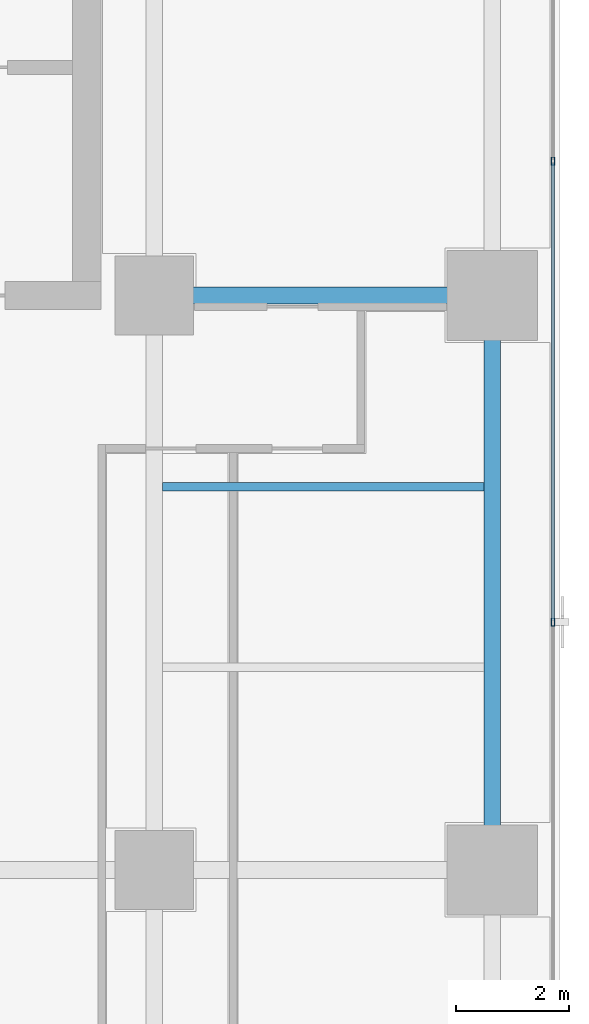
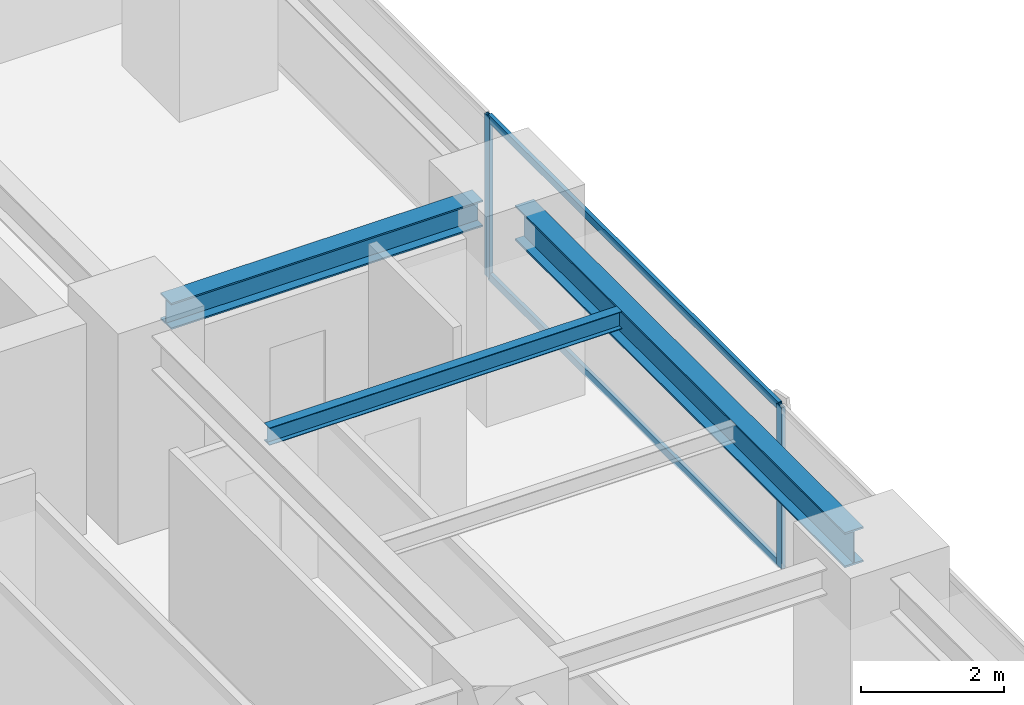
# One storey, part 17 of 30: 4 members, 3 beams, 1 element without a shape of its own.
"""IFC4 building model written with IfcOpenShell, lengths in metres."""

from ifc_helpers import new_model, si_unit, direction, frame, origin, origin_2d, place, context, subcontext, project, spatial, hollow_rectangle, i_section, extrude, source, transform, mapped, material, layer, layer_set, material_profile, profile_set, type_object, element, aggregate, save


model = new_model("IFC4")

# Units and contexts
model_context = context("Model", 3, precision=1e-05, world=origin(), true_north=direction((0.0, 1.0)))
body_context = subcontext(model_context, "Body", "Model", "MODEL_VIEW")
ifc_project = project(units=[si_unit("LENGTHUNIT", "METRE"), si_unit("AREAUNIT", "SQUARE_METRE"), si_unit("VOLUMEUNIT", "CUBIC_METRE"), si_unit("PLANEANGLEUNIT", "RADIAN"), si_unit("MASSUNIT", "GRAM", prefix="KILO")], contexts=[model_context])

# Site, building, storey
site_placement = place(None, origin())
site = spatial("IfcSite", under=ifc_project, at=site_placement, CompositionType="ELEMENT")
building_placement = place(site_placement, origin())
building = spatial("IfcBuilding", under=site, at=building_placement, Name="Sumidabori Civic Tower", CompositionType="ELEMENT")
storey_placement = place(building_placement, frame((0.0, 0.0, 196.39990234375)))
storey = spatial("IfcBuildingStorey", under=building, at=storey_placement, Name="L50", CompositionType="ELEMENT", Elevation=196.39990234375)

# Beams
ifc_material_1 = material(Name="Steel SN490", Category="steel")
ifc_material_profile_1 = material_profile(ifc_material_1, i_section(OverallWidth=0.300048828125, OverallDepth=0.60009765625, WebThickness=0.015380859375, FlangeThickness=0.030029296875, at=origin_2d()), Name="HE 600 B")
ifc_profile_set_1 = profile_set([ifc_material_profile_1], Name="Steel SN490")
beam_type_1 = type_object("IfcBeamType", Name="BM-GIRD-600", PredefinedType="BEAM", material=ifc_profile_set_1)
shared_shape_1 = source(origin(), body_context, "Body", "SweptSolid", [
    extrude(i_section(OverallWidth=0.300048828125, OverallDepth=0.60009765625, WebThickness=0.015380859375, FlangeThickness=0.030029296875, at=origin_2d()), origin(), (0.0, 0.0, 1.0), 9.239990234375),
])
beam_1_placement = place(storey_placement, frame((22.800048828125, 0.47998046875, 3.080078125), z_axis=(0.0, 1.0, 0.0), x_axis=(-1.0, 0.0, 0.0)))
element("IfcBeam", 1, at=beam_1_placement, inside=storey, type_object=beam_type_1, Name="Primary Girder L50 GY-23", PredefinedType="BEAM", context=body_context, shape_type="MappedRepresentation", body=[
    mapped(shared_shape_1, transform((0.0, 0.0, 0.0), x_axis=(1.0, 0.0, 0.0), y_axis=(0.0, 1.0, 0.0), z_axis=(0.0, 0.0, 1.0), scale=1.0)),
])
ifc_material_profile_2 = material_profile(ifc_material_1, i_section(OverallWidth=0.14990234375, OverallDepth=0.300048828125, WebThickness=0.007080078125, FlangeThickness=0.0107421875, at=origin_2d()), Name="IPE 300")
ifc_profile_set_2 = profile_set([ifc_material_profile_2], Name="Steel SN490")
beam_type_2 = type_object("IfcBeamType", Name="BM-JST-300", PredefinedType="JOIST", material=ifc_profile_set_2)
shared_shape_2 = source(origin(), body_context, "Body", "SweptSolid", [
    extrude(i_section(OverallWidth=0.14990234375, OverallDepth=0.300048828125, WebThickness=0.007080078125, FlangeThickness=0.0107421875, at=origin_2d()), origin(), (0.0, 0.0, 1.0), 5.699951171875),
])
beam_2_placement = place(storey_placement, frame((16.949951171875, 6.800048828125, 3.22998046875), z_axis=(1.0, 0.0, 0.0), x_axis=(0.0, 1.0, 0.0)))
element("IfcBeam", 2, at=beam_2_placement, inside=storey, type_object=beam_type_2, Name="Outer Bay Floor Joist L50 JSTO-32", PredefinedType="JOIST", context=body_context, shape_type="MappedRepresentation", body=[
    mapped(shared_shape_2, transform((0.0, 0.0, 0.0), x_axis=(1.0, 0.0, 0.0), y_axis=(0.0, 1.0, 0.0), z_axis=(0.0, 0.0, 1.0), scale=1.0)),
])
ifc_material_profile_3 = material_profile(ifc_material_1, i_section(OverallWidth=0.300048828125, OverallDepth=0.449951171875, WebThickness=0.013916015625, FlangeThickness=0.02587890625, at=origin_2d()), Name="HE 450 B")
ifc_profile_set_3 = profile_set([ifc_material_profile_3], Name="Steel SN490")
beam_type_3 = type_object("IfcBeamType", Name="BM-GIRD-450", PredefinedType="BEAM", material=ifc_profile_set_3)
shared_shape_3 = source(origin(), body_context, "Body", "SweptSolid", [
    extrude(i_section(OverallWidth=0.300048828125, OverallDepth=0.449951171875, WebThickness=0.013916015625, FlangeThickness=0.02587890625, at=origin_2d()), origin(), (0.0, 0.0, 1.0), 5.0400390625),
])
beam_3_placement = place(storey_placement, frame((17.280029296875, 10.199951171875, 3.155029296875), z_axis=(1.0, 0.0, 0.0), x_axis=(0.0, 1.0, 0.0)))
element("IfcBeam", 3, at=beam_3_placement, inside=storey, type_object=beam_type_3, Name="Primary Girder L50 GX-10", PredefinedType="BEAM", context=body_context, shape_type="MappedRepresentation", body=[
    mapped(shared_shape_3, transform((0.0, 0.0, 0.0), x_axis=(1.0, 0.0, 0.0), y_axis=(0.0, 1.0, 0.0), z_axis=(0.0, 0.0, 1.0), scale=1.0)),
])

# Curtain wall, members
ifc_material_2 = material(Name="Anodised Bronze Aluminium AW-6063-T6", Category="aluminium")
ifc_layer = layer(ifc_material_2, 0.179931640625, Name="Anodised Bronze Aluminium AW-6063-T6")
ifc_layer_set = layer_set([ifc_layer], Name="Anodised Bronze Aluminium AW-6063-T6")
curtain_wall_type = type_object("IfcCurtainWallType", Name="CW-SYS-5", PredefinedType="NOTDEFINED", material=ifc_layer_set)
curtain_wall_placement = place(storey_placement, origin())
curtain_wall = element("IfcCurtainWall", 4, at=curtain_wall_placement, inside=storey, type_object=curtain_wall_type, Name="Curtain Wall CW:L50:R10", PredefinedType="NOTDEFINED")
ifc_material_profile_4 = material_profile(ifc_material_2, hollow_rectangle(XDim=0.06005859375, YDim=0.139892578125, WallThickness=0.0048828125, at=origin_2d()), Name="ALU MULLION 140x60")
ifc_profile_set_4 = profile_set([ifc_material_profile_4], Name="Anodised Bronze Aluminium AW-6063-T6")
member_type_1 = type_object("IfcMemberType", Name="CW-MUL-140", PredefinedType="MULLION", material=ifc_profile_set_4)
shared_shape_4 = source(origin(), body_context, "Body", "SweptSolid", [
    extrude(hollow_rectangle(XDim=0.06005859375, YDim=0.139892578125, WallThickness=0.0048828125, at=origin_2d()), origin(), (0.0, 0.0, 1.0), 2.760009765625),
])
member_1_placement = place(storey_placement, frame((23.8798828125, 4.39990234375, 0.0), z_axis=(0.0, 0.0, 1.0), x_axis=(-1.0, 0.0, 0.0)))
member_1 = element("IfcMember", 5, at=member_1_placement, type_object=member_type_1, Name="CW-5 mullion 3", PredefinedType="MULLION", context=body_context, shape_type="MappedRepresentation", body=[
    mapped(shared_shape_4, transform((0.0, 0.0, 0.0), x_axis=(1.0, 0.0, 0.0), y_axis=(0.0, 1.0, 0.0), z_axis=(0.0, 0.0, 1.0), scale=1.0)),
])
member_2_placement = place(storey_placement, frame((23.8798828125, 12.5849609375, 0.0), z_axis=(0.0, 0.0, 1.0), x_axis=(-1.0, 0.0, 0.0)))
member_2 = element("IfcMember", 6, at=member_2_placement, type_object=member_type_1, Name="CW-5 mullion 4", PredefinedType="MULLION", context=body_context, shape_type="MappedRepresentation", body=[
    mapped(shared_shape_4, transform((0.0, 0.0, 0.0), x_axis=(1.0, 0.0, 0.0), y_axis=(0.0, 1.0, 0.0), z_axis=(0.0, 0.0, 1.0), scale=1.0)),
])
ifc_material_profile_5 = material_profile(ifc_material_2, hollow_rectangle(XDim=0.06005859375, YDim=0.1298828125, WallThickness=0.0048828125, at=origin_2d()), Name="ALU TRANSOM 130x60")
ifc_profile_set_5 = profile_set([ifc_material_profile_5], Name="Anodised Bronze Aluminium AW-6063-T6")
member_type_2 = type_object("IfcMemberType", Name="CW-TRN-130", PredefinedType="USERDEFINED", material=ifc_profile_set_5)
shared_shape_5 = source(origin(), body_context, "Body", "SweptSolid", [
    extrude(hollow_rectangle(XDim=0.06005859375, YDim=0.1298828125, WallThickness=0.0048828125, at=origin_2d()), origin(), (0.0, 0.0, 1.0), 8.125),
])
member_3_placement = place(storey_placement, frame((23.8798828125, 4.429931640625, 0.030029296875), z_axis=(0.0, 1.0, 0.0), x_axis=(-1.0, 0.0, 0.0)))
member_3 = element("IfcMember", 7, at=member_3_placement, type_object=member_type_2, Name="CW-5 transom 3.1", ObjectType="TRANSOM", PredefinedType="USERDEFINED", context=body_context, shape_type="MappedRepresentation", body=[
    mapped(shared_shape_5, transform((0.0, 0.0, 0.0), x_axis=(1.0, 0.0, 0.0), y_axis=(0.0, 1.0, 0.0), z_axis=(0.0, 0.0, 1.0), scale=1.0)),
])
member_4_placement = place(storey_placement, frame((23.8798828125, 4.429931640625, 2.72998046875), z_axis=(0.0, 1.0, 0.0), x_axis=(-1.0, 0.0, 0.0)))
member_4 = element("IfcMember", 8, at=member_4_placement, type_object=member_type_2, Name="CW-5 transom 3.2", ObjectType="TRANSOM", PredefinedType="USERDEFINED", context=body_context, shape_type="MappedRepresentation", body=[
    mapped(shared_shape_5, transform((0.0, 0.0, 0.0), x_axis=(1.0, 0.0, 0.0), y_axis=(0.0, 1.0, 0.0), z_axis=(0.0, 0.0, 1.0), scale=1.0)),
])
aggregate(curtain_wall, [member_1, member_2, member_3, member_4])

save(model, "model.ifc")
